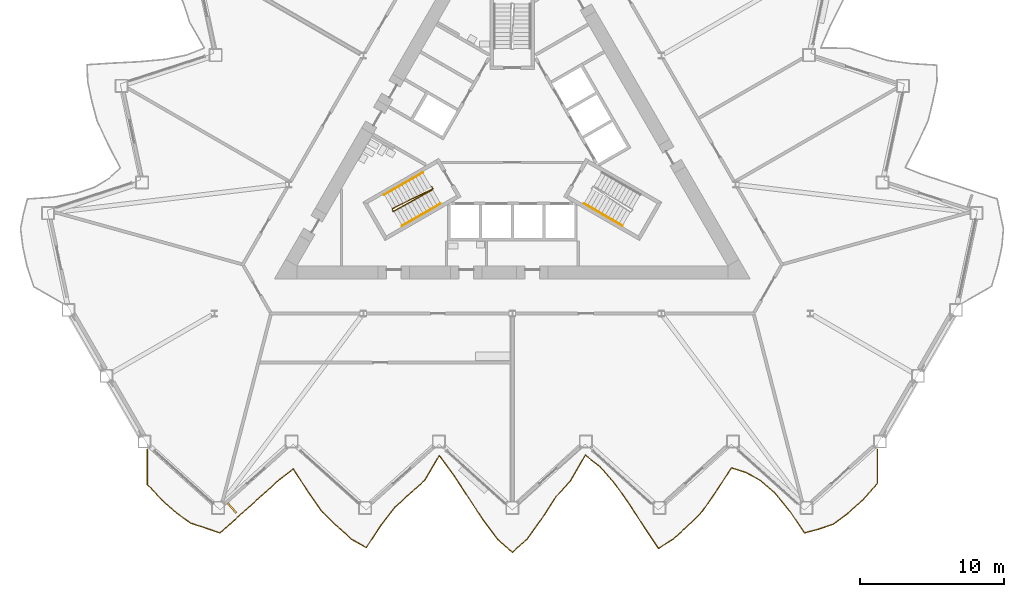
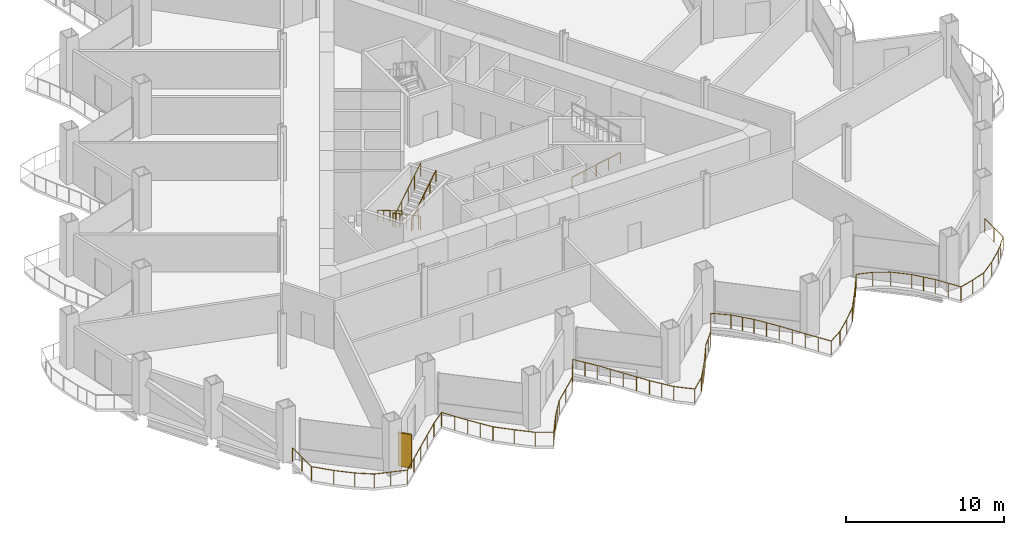
# One storey, part 17 of 21: 5 railings, 1 shading device.
"""IFC4 building model written with IfcOpenShell, lengths in metres."""

from ifc_helpers import new_model, si_unit, direction, frame, origin, origin_2d, place, context, subcontext, project, spatial, rectangle, circle, extrude, material, layer, layer_set, type_object, element, save


model = new_model("IFC4")

# Units and contexts
model_context = context("Model", 3, precision=1e-05, world=origin(), true_north=direction((0.0, 1.0)))
body_context = subcontext(model_context, "Body", "Model", "MODEL_VIEW")
ifc_project = project(units=[si_unit("LENGTHUNIT", "METRE"), si_unit("AREAUNIT", "SQUARE_METRE"), si_unit("VOLUMEUNIT", "CUBIC_METRE"), si_unit("PLANEANGLEUNIT", "RADIAN"), si_unit("MASSUNIT", "GRAM", prefix="KILO")], contexts=[model_context])

# Site, building, storey
site_placement = place(None, origin())
site = spatial("IfcSite", under=ifc_project, at=site_placement, CompositionType="ELEMENT")
building_placement = place(site_placement, origin())
building = spatial("IfcBuilding", under=site, at=building_placement, Name="Cormorant Prow Tower", CompositionType="ELEMENT")
storey_placement = place(building_placement, frame((0.0, 0.0, 137.39990234375)))
storey = spatial("IfcBuildingStorey", under=building, at=storey_placement, Name="L29", CompositionType="ELEMENT", Elevation=137.39990234375)

# Railings
ifc_material_1 = material(Name="Aluminium 6063-T6", Category="aluminium")
railing_type_1 = type_object("IfcRailingType", Name="Balcony guard 1100", PredefinedType="GUARDRAIL", material=ifc_material_1)
railing_1_placement = place(storey_placement, frame((-25.322509765625, -21.367919921875, 0.0)))
element("IfcRailing", 1, at=railing_1_placement, inside=storey, type_object=railing_type_1, Name="Balcony guard S", PredefinedType="GUARDRAIL", context=body_context, shape_type="SweptSolid", body=[
    extrude(circle(Radius=0.02392578125, at=origin_2d()), frame((0.0, 0.0, 1.076171875), z_axis=(0.0, -1.0, 0.0), x_axis=(1.0, 0.0, 0.0)), (0.0, 0.0, 1.0), 2.404052734375),
    extrude(circle(Radius=0.02392578125, at=origin_2d()), frame((0.0, -2.404052734375, 1.076171875), z_axis=(0.684643577426, -0.728878022641, 0.0), x_axis=(0.728878022641, 0.684643577426, 0.0)), (0.0, 0.0, 1.0), 1.479248046875),
    extrude(circle(Radius=0.02392578125, at=origin_2d()), frame((1.0126953125, -3.482177734375, 1.076171875), z_axis=(0.743124908613, -0.669152725616, 0.0), x_axis=(0.669152725616, 0.743124908613, 0.0)), (0.0, 0.0, 1.0), 1.363037109375),
    extrude(circle(Radius=0.02392578125, at=origin_2d()), frame((2.025634765625, -4.394287109375, 1.076171875), z_axis=(0.817218885489, -0.5763274184, 0.0), x_axis=(0.5763274184, 0.817218885489, 0.0)), (0.0, 0.0, 1.0), 1.239501953125),
    extrude(circle(Radius=0.02392578125, at=origin_2d()), frame((3.03857421875, -5.108642578125, 1.076171875), z_axis=(0.951801546947, -0.306714550077, 0.0), x_axis=(0.306714550077, 0.951801546947, 0.0)), (0.0, 0.0, 1.0), 1.064208984375),
    extrude(circle(Radius=0.02392578125, at=origin_2d()), frame((4.051513671875, -5.43505859375, 1.076171875), z_axis=(0.94654027154, -0.32258566979, 0.0), x_axis=(0.32258566979, 0.94654027154, 0.0)), (0.0, 0.0, 1.0), 1.070068359375),
    extrude(circle(Radius=0.02392578125, at=origin_2d()), frame((5.064453125, -5.7802734375, 1.076171875), z_axis=(0.743124908613, 0.669152725616, 0.0), x_axis=(-0.669152725616, 0.743124908613, 0.0)), (0.0, 0.0, 1.0), 1.363037109375),
    extrude(circle(Radius=0.02392578125, at=origin_2d()), frame((6.077392578125, -4.8681640625, 1.076171875), z_axis=(0.743133776471, 0.669142877319, 0.0), x_axis=(-0.669142877319, 0.743133776471, 0.0)), (0.0, 0.0, 1.0), 1.36279296875),
    extrude(circle(Radius=0.02392578125, at=origin_2d()), frame((7.090087890625, -3.956298828125, 1.076171875), z_axis=(0.743124908613, 0.669152725616, 0.0), x_axis=(-0.669152725616, 0.743124908613, 0.0)), (0.0, 0.0, 1.0), 1.363037109375),
    extrude(circle(Radius=0.02392578125, at=origin_2d()), frame((8.10302734375, -3.044189453125, 1.076171875), z_axis=(0.743124908613, 0.669152725616, 0.0), x_axis=(-0.669152725616, 0.743124908613, 0.0)), (0.0, 0.0, 1.0), 1.363037109375),
    extrude(circle(Radius=0.02392578125, at=origin_2d()), frame((9.115966796875, -2.132080078125, 1.076171875), z_axis=(0.787416886563, 0.616420835757, 0.0), x_axis=(-0.616420835757, 0.787416886563, 0.0)), (0.0, 0.0, 1.0), 1.286376953125),
    extrude(circle(Radius=0.02392578125, at=origin_2d()), frame((10.12890625, -1.339111328125, 1.076171875), z_axis=(0.542600411715, -0.839990948288, 0.0), x_axis=(0.839990948288, 0.542600411715, 0.0)), (0.0, 0.0, 1.0), 1.866943359375),
    extrude(circle(Radius=0.02392578125, at=origin_2d()), frame((11.141845703125, -2.9072265625, 1.076171875), z_axis=(0.576601351146, -0.817025631089, 0.0), x_axis=(0.817025631089, 0.576601351146, 0.0)), (0.0, 0.0, 1.0), 1.7568359375),
    extrude(circle(Radius=0.02392578125, at=origin_2d()), frame((12.15478515625, -4.342529296875, 1.076171875), z_axis=(0.72452402997, -0.689249541165, 0.0), x_axis=(0.689249541165, 0.72452402997, 0.0)), (0.0, 0.0, 1.0), 1.398193359375),
    extrude(circle(Radius=0.02392578125, at=origin_2d()), frame((13.167724609375, -5.30615234375, 1.076171875), z_axis=(0.743124908613, -0.669152725616, 0.0), x_axis=(0.669152725616, 0.743124908613, 0.0)), (0.0, 0.0, 1.0), 1.363037109375),
    extrude(circle(Radius=0.02392578125, at=origin_2d()), frame((14.1806640625, -6.21826171875, 1.076171875), z_axis=(0.868320405783, -0.496003702508, 0.0), x_axis=(0.496003702508, 0.868320405783, 0.0)), (0.0, 0.0, 1.0), 1.16650390625),
    extrude(circle(Radius=0.02392578125, at=origin_2d()), frame((15.193603515625, -6.796875, 1.076171875), z_axis=(0.550832958169, 0.834615511595, 0.0), x_axis=(-0.834615511595, 0.550832958169, 0.0)), (0.0, 0.0, 1.0), 1.83837890625),
    extrude(circle(Radius=0.02392578125, at=origin_2d()), frame((16.206298828125, -5.262451171875, 1.076171875), z_axis=(0.61282540161, 0.790218341435, 0.0), x_axis=(-0.790218341435, 0.61282540161, 0.0)), (0.0, 0.0, 1.0), 1.65283203125),
    extrude(circle(Radius=0.02392578125, at=origin_2d()), frame((17.21923828125, -3.956298828125, 1.076171875), z_axis=(0.743124908613, 0.669152725616, 0.0), x_axis=(-0.669152725616, 0.743124908613, 0.0)), (0.0, 0.0, 1.0), 1.363037109375),
    extrude(circle(Radius=0.02392578125, at=origin_2d()), frame((18.232177734375, -3.044189453125, 1.076171875), z_axis=(0.743124908613, 0.669152725616, 0.0), x_axis=(-0.669152725616, 0.743124908613, 0.0)), (0.0, 0.0, 1.0), 1.363037109375),
    extrude(circle(Radius=0.02392578125, at=origin_2d()), frame((19.2451171875, -2.132080078125, 1.076171875), z_axis=(0.509179917799, 0.860660102079, 0.0), x_axis=(-0.860660102079, 0.509179917799, 0.0)), (0.0, 0.0, 1.0), 1.9892578125),
    extrude(circle(Radius=0.02392578125, at=origin_2d()), frame((20.258056640625, -0.419921875, 1.076171875), z_axis=(0.594894887294, -0.803803504018, 0.0), x_axis=(0.803803504018, 0.594894887294, 0.0)), (0.0, 0.0, 1.0), 1.70263671875),
    extrude(circle(Radius=0.02392578125, at=origin_2d()), frame((21.27099609375, -1.78857421875, 1.076171875), z_axis=(0.547309796682, -0.836930096517, 0.0), x_axis=(0.836930096517, 0.547309796682, 0.0)), (0.0, 0.0, 1.0), 1.850341796875),
    extrude(circle(Radius=0.02392578125, at=origin_2d()), frame((22.28369140625, -3.337158203125, 1.076171875), z_axis=(0.546919020367, -0.837185514185, 0.0), x_axis=(0.837185514185, 0.546919020367, 0.0)), (0.0, 0.0, 1.0), 1.85205078125),
    extrude(circle(Radius=0.02392578125, at=origin_2d()), frame((23.296630859375, -4.8876953125, 1.076171875), z_axis=(0.605730861972, -0.795669606592, 0.0), x_axis=(0.795669606592, 0.605730861972, 0.0)), (0.0, 0.0, 1.0), 1.67236328125),
    extrude(circle(Radius=0.02392578125, at=origin_2d()), frame((24.3095703125, -6.21826171875, 1.076171875), z_axis=(0.743213977372, -0.669053797417, 0.0), x_axis=(0.669053797417, 0.743213977372, 0.0)), (0.0, 0.0, 1.0), 1.363037109375),
    extrude(circle(Radius=0.02392578125, at=origin_2d()), frame((25.322509765625, -7.130126953125, 1.076171875), z_axis=(0.743213977372, 0.669053797417, 0.0), x_axis=(-0.669053797417, 0.743213977372, 0.0)), (0.0, 0.0, 1.0), 1.363037109375),
    extrude(circle(Radius=0.02392578125, at=origin_2d()), frame((26.33544921875, -6.21826171875, 1.076171875), z_axis=(0.587556846103, 0.809182891933, 0.0), x_axis=(-0.809182891933, 0.587556846103, 0.0)), (0.0, 0.0, 1.0), 1.723876953125),
    extrude(circle(Radius=0.02392578125, at=origin_2d()), frame((27.348388671875, -4.8232421875, 1.076171875), z_axis=(0.544692987816, 0.838635528119, 0.0), x_axis=(-0.838635528119, 0.544692987816, 0.0)), (0.0, 0.0, 1.0), 1.859619140625),
    extrude(circle(Radius=0.02392578125, at=origin_2d()), frame((28.361328125, -3.263671875, 1.076171875), z_axis=(0.666874746056, 0.745169828343, 0.0), x_axis=(-0.745169828343, 0.666874746056, 0.0)), (0.0, 0.0, 1.0), 1.5185546875),
    extrude(circle(Radius=0.02392578125, at=origin_2d()), frame((29.3740234375, -2.132080078125, 1.076171875), z_axis=(0.502004160117, 0.864865205234, 0.0), x_axis=(-0.864865205234, 0.502004160117, 0.0)), (0.0, 0.0, 1.0), 2.017822265625),
    extrude(circle(Radius=0.02392578125, at=origin_2d()), frame((30.386962890625, -0.386962890625, 1.076171875), z_axis=(0.784287247968, -0.620397866433, 0.0), x_axis=(0.620397866433, 0.784287247968, 0.0)), (0.0, 0.0, 1.0), 1.29150390625),
    extrude(circle(Radius=0.02392578125, at=origin_2d()), frame((31.39990234375, -1.188232421875, 1.076171875), z_axis=(0.661242031775, -0.750172630409, 0.0), x_axis=(0.750172630409, 0.661242031775, 0.0)), (0.0, 0.0, 1.0), 1.531982421875),
    extrude(circle(Radius=0.02392578125, at=origin_2d()), frame((32.412841796875, -2.33740234375, 1.076171875), z_axis=(0.577781624443, -0.816191395725, 0.0), x_axis=(0.816191395725, 0.577781624443, 0.0)), (0.0, 0.0, 1.0), 1.753173828125),
    extrude(circle(Radius=0.02392578125, at=origin_2d()), frame((33.42578125, -3.768310546875, 1.076171875), z_axis=(0.542838919427, -0.839836833888, 0.0), x_axis=(0.839836833888, 0.542838919427, 0.0)), (0.0, 0.0, 1.0), 1.865966796875),
    extrude(circle(Radius=0.02392578125, at=origin_2d()), frame((34.438720703125, -5.33544921875, 1.076171875), z_axis=(0.554330067135, -0.832296928187, 0.0), x_axis=(0.832296928187, 0.554330067135, 0.0)), (0.0, 0.0, 1.0), 1.826904296875),
    extrude(circle(Radius=0.02392578125, at=origin_2d()), frame((35.451416015625, -6.85595703125, 1.076171875), z_axis=(0.846263494007, 0.532764580946, 0.0), x_axis=(-0.532764580946, 0.846263494007, 0.0)), (0.0, 0.0, 1.0), 1.197021484375),
    extrude(circle(Radius=0.02392578125, at=origin_2d()), frame((36.46435546875, -6.21826171875, 1.076171875), z_axis=(0.743124908613, 0.669152725616, 0.0), x_axis=(-0.669152725616, 0.743124908613, 0.0)), (0.0, 0.0, 1.0), 1.363037109375),
    extrude(circle(Radius=0.02392578125, at=origin_2d()), frame((37.477294921875, -5.30615234375, 1.076171875), z_axis=(0.708300783567, 0.705910759231, 0.0), x_axis=(-0.705910759231, 0.708300783567, 0.0)), (0.0, 0.0, 1.0), 1.43017578125),
    extrude(circle(Radius=0.02392578125, at=origin_2d()), frame((38.490234375, -4.296630859375, 1.076171875), z_axis=(0.57049630131, 0.821300170578, 0.0), x_axis=(-0.821300170578, 0.57049630131, 0.0)), (0.0, 0.0, 1.0), 1.775634765625),
    extrude(circle(Radius=0.02392578125, at=origin_2d()), frame((39.503173828125, -2.83837890625, 1.076171875), z_axis=(0.541707483767, 0.840567071703, 0.0), x_axis=(-0.840567071703, 0.541707483767, 0.0)), (0.0, 0.0, 1.0), 1.869873046875),
    extrude(circle(Radius=0.02392578125, at=origin_2d()), frame((40.51611328125, -1.2666015625, 1.076171875), z_axis=(0.952669116007, -0.304009137044, 0.0), x_axis=(0.304009137044, 0.952669116007, 0.0)), (0.0, 0.0, 1.0), 1.063232421875),
    extrude(circle(Radius=0.02392578125, at=origin_2d()), frame((41.529052734375, -1.58984375, 1.076171875), z_axis=(0.875586917879, -0.483060606176, 0.0), x_axis=(0.483060606176, 0.875586917879, 0.0)), (0.0, 0.0, 1.0), 1.156982421875),
    extrude(circle(Radius=0.02392578125, at=origin_2d()), frame((42.5419921875, -2.148681640625, 1.076171875), z_axis=(0.75009632031, -0.661328594768, 0.0), x_axis=(0.661328594768, 0.75009632031, 0.0)), (0.0, 0.0, 1.0), 1.350341796875),
    extrude(circle(Radius=0.02392578125, at=origin_2d()), frame((43.554931640625, -3.041748046875, 1.076171875), z_axis=(0.634719844274, -0.77274233693, 0.0), x_axis=(0.77274233693, 0.634719844274, 0.0)), (0.0, 0.0, 1.0), 1.595458984375),
    extrude(circle(Radius=0.02392578125, at=origin_2d()), frame((44.567626953125, -4.274658203125, 1.076171875), z_axis=(0.558203636629, -0.829703983391, 0.0), x_axis=(0.829703983391, 0.558203636629, 0.0)), (0.0, 0.0, 1.0), 1.814697265625),
    extrude(circle(Radius=0.02392578125, at=origin_2d()), frame((45.58056640625, -5.7802734375, 1.076171875), z_axis=(0.965383981058, 0.260832837495, 0.0), x_axis=(-0.260832837495, 0.965383981058, 0.0)), (0.0, 0.0, 1.0), 1.04931640625),
    extrude(circle(Radius=0.02392578125, at=origin_2d()), frame((46.593505859375, -5.506591796875, 1.076171875), z_axis=(0.946400884975, 0.322994372891, 0.0), x_axis=(-0.322994372891, 0.946400884975, 0.0)), (0.0, 0.0, 1.0), 1.0703125),
    extrude(circle(Radius=0.02392578125, at=origin_2d()), frame((47.6064453125, -5.160888671875, 1.076171875), z_axis=(0.797386389798, 0.603469092303, 0.0), x_axis=(-0.603469092303, 0.797386389798, 0.0)), (0.0, 0.0, 1.0), 1.270263671875),
    extrude(circle(Radius=0.02392578125, at=origin_2d()), frame((48.619384765625, -4.394287109375, 1.076171875), z_axis=(0.743124908613, 0.669152725616, 0.0), x_axis=(-0.669152725616, 0.743124908613, 0.0)), (0.0, 0.0, 1.0), 1.363037109375),
    extrude(circle(Radius=0.02392578125, at=origin_2d()), frame((49.63232421875, -3.482177734375, 1.076171875), z_axis=(0.666874746056, 0.745169828343, 0.0), x_axis=(-0.745169828343, 0.666874746056, 0.0)), (0.0, 0.0, 1.0), 1.5185546875),
    extrude(circle(Radius=0.02392578125, at=origin_2d()), frame((50.64501953125, -2.3505859375, 1.076171875), z_axis=(0.0, 1.0, 0.0), x_axis=(-1.0, 0.0, 0.0)), (0.0, 0.0, 1.0), 2.3505859375),
    extrude(circle(Radius=0.02099609375, at=origin_2d()), origin(), (0.0, 0.0, 1.0), 1.052001953125),
    extrude(circle(Radius=0.02099609375, at=origin_2d()), frame((0.0, -1.2021484375, 0.0)), (0.0, 0.0, 1.0), 1.052001953125),
    extrude(circle(Radius=0.02099609375, at=origin_2d()), frame((0.0, -2.404052734375, 0.0)), (0.0, 0.0, 1.0), 1.052001953125),
    extrude(circle(Radius=0.02099609375, at=origin_2d()), frame((1.0126953125, -3.482177734375, 0.0)), (0.0, 0.0, 1.0), 1.052001953125),
    extrude(circle(Radius=0.02099609375, at=origin_2d()), frame((2.025634765625, -4.394287109375, 0.0)), (0.0, 0.0, 1.0), 1.052001953125),
    extrude(circle(Radius=0.02099609375, at=origin_2d()), frame((3.03857421875, -5.108642578125, 0.0)), (0.0, 0.0, 1.0), 1.052001953125),
    extrude(circle(Radius=0.02099609375, at=origin_2d()), frame((4.051513671875, -5.43505859375, 0.0)), (0.0, 0.0, 1.0), 1.052001953125),
    extrude(circle(Radius=0.02099609375, at=origin_2d()), frame((5.064453125, -5.7802734375, 0.0)), (0.0, 0.0, 1.0), 1.052001953125),
    extrude(circle(Radius=0.02099609375, at=origin_2d()), frame((6.077392578125, -4.8681640625, 0.0)), (0.0, 0.0, 1.0), 1.052001953125),
    extrude(circle(Radius=0.02099609375, at=origin_2d()), frame((7.090087890625, -3.956298828125, 0.0)), (0.0, 0.0, 1.0), 1.052001953125),
    extrude(circle(Radius=0.02099609375, at=origin_2d()), frame((8.10302734375, -3.044189453125, 0.0)), (0.0, 0.0, 1.0), 1.052001953125),
    extrude(circle(Radius=0.02099609375, at=origin_2d()), frame((9.115966796875, -2.132080078125, 0.0)), (0.0, 0.0, 1.0), 1.052001953125),
    extrude(circle(Radius=0.02099609375, at=origin_2d()), frame((10.12890625, -1.339111328125, 0.0)), (0.0, 0.0, 1.0), 1.052001953125),
    extrude(circle(Radius=0.02099609375, at=origin_2d()), frame((10.63525390625, -2.123046875, 0.0)), (0.0, 0.0, 1.0), 1.052001953125),
    extrude(circle(Radius=0.02099609375, at=origin_2d()), frame((11.141845703125, -2.9072265625, 0.0)), (0.0, 0.0, 1.0), 1.052001953125),
    extrude(circle(Radius=0.02099609375, at=origin_2d()), frame((11.6484375, -3.625, 0.0)), (0.0, 0.0, 1.0), 1.052001953125),
    extrude(circle(Radius=0.02099609375, at=origin_2d()), frame((12.15478515625, -4.342529296875, 0.0)), (0.0, 0.0, 1.0), 1.052001953125),
    extrude(circle(Radius=0.02099609375, at=origin_2d()), frame((13.167724609375, -5.30615234375, 0.0)), (0.0, 0.0, 1.0), 1.052001953125),
    extrude(circle(Radius=0.02099609375, at=origin_2d()), frame((14.1806640625, -6.21826171875, 0.0)), (0.0, 0.0, 1.0), 1.052001953125),
    extrude(circle(Radius=0.02099609375, at=origin_2d()), frame((15.193603515625, -6.796875, 0.0)), (0.0, 0.0, 1.0), 1.052001953125),
    extrude(circle(Radius=0.02099609375, at=origin_2d()), frame((15.699951171875, -6.02978515625, 0.0)), (0.0, 0.0, 1.0), 1.052001953125),
    extrude(circle(Radius=0.02099609375, at=origin_2d()), frame((16.206298828125, -5.262451171875, 0.0)), (0.0, 0.0, 1.0), 1.052001953125),
    extrude(circle(Radius=0.02099609375, at=origin_2d()), frame((16.712890625, -4.609375, 0.0)), (0.0, 0.0, 1.0), 1.052001953125),
    extrude(circle(Radius=0.02099609375, at=origin_2d()), frame((17.21923828125, -3.956298828125, 0.0)), (0.0, 0.0, 1.0), 1.052001953125),
    extrude(circle(Radius=0.02099609375, at=origin_2d()), frame((18.232177734375, -3.044189453125, 0.0)), (0.0, 0.0, 1.0), 1.052001953125),
    extrude(circle(Radius=0.02099609375, at=origin_2d()), frame((19.2451171875, -2.132080078125, 0.0)), (0.0, 0.0, 1.0), 1.052001953125),
    extrude(circle(Radius=0.02099609375, at=origin_2d()), frame((19.75146484375, -1.27587890625, 0.0)), (0.0, 0.0, 1.0), 1.052001953125),
    extrude(circle(Radius=0.02099609375, at=origin_2d()), frame((20.258056640625, -0.419921875, 0.0)), (0.0, 0.0, 1.0), 1.052001953125),
    extrude(circle(Radius=0.02099609375, at=origin_2d()), frame((20.7646484375, -1.104248046875, 0.0)), (0.0, 0.0, 1.0), 1.052001953125),
    extrude(circle(Radius=0.02099609375, at=origin_2d()), frame((21.27099609375, -1.78857421875, 0.0)), (0.0, 0.0, 1.0), 1.052001953125),
    extrude(circle(Radius=0.02099609375, at=origin_2d()), frame((21.77734375, -2.56298828125, 0.0)), (0.0, 0.0, 1.0), 1.052001953125),
    extrude(circle(Radius=0.02099609375, at=origin_2d()), frame((22.28369140625, -3.337158203125, 0.0)), (0.0, 0.0, 1.0), 1.052001953125),
    extrude(circle(Radius=0.02099609375, at=origin_2d()), frame((22.7900390625, -4.1123046875, 0.0)), (0.0, 0.0, 1.0), 1.052001953125),
    extrude(circle(Radius=0.02099609375, at=origin_2d()), frame((23.296630859375, -4.8876953125, 0.0)), (0.0, 0.0, 1.0), 1.052001953125),
    extrude(circle(Radius=0.02099609375, at=origin_2d()), frame((23.80322265625, -5.552978515625, 0.0)), (0.0, 0.0, 1.0), 1.052001953125),
    extrude(circle(Radius=0.02099609375, at=origin_2d()), frame((24.3095703125, -6.21826171875, 0.0)), (0.0, 0.0, 1.0), 1.052001953125),
    extrude(circle(Radius=0.02099609375, at=origin_2d()), frame((25.322509765625, -7.130126953125, 0.0)), (0.0, 0.0, 1.0), 1.052001953125),
    extrude(circle(Radius=0.02099609375, at=origin_2d()), frame((26.33544921875, -6.21826171875, 0.0)), (0.0, 0.0, 1.0), 1.052001953125),
    extrude(circle(Radius=0.02099609375, at=origin_2d()), frame((26.841796875, -5.520751953125, 0.0)), (0.0, 0.0, 1.0), 1.052001953125),
    extrude(circle(Radius=0.02099609375, at=origin_2d()), frame((27.348388671875, -4.8232421875, 0.0)), (0.0, 0.0, 1.0), 1.052001953125),
    extrude(circle(Radius=0.02099609375, at=origin_2d()), frame((27.85498046875, -4.04345703125, 0.0)), (0.0, 0.0, 1.0), 1.052001953125),
    extrude(circle(Radius=0.02099609375, at=origin_2d()), frame((28.361328125, -3.263671875, 0.0)), (0.0, 0.0, 1.0), 1.052001953125),
    extrude(circle(Radius=0.02099609375, at=origin_2d()), frame((28.86767578125, -2.69775390625, 0.0)), (0.0, 0.0, 1.0), 1.052001953125),
    extrude(circle(Radius=0.02099609375, at=origin_2d()), frame((29.3740234375, -2.132080078125, 0.0)), (0.0, 0.0, 1.0), 1.052001953125),
    extrude(circle(Radius=0.02099609375, at=origin_2d()), frame((29.88037109375, -1.259521484375, 0.0)), (0.0, 0.0, 1.0), 1.052001953125),
    extrude(circle(Radius=0.02099609375, at=origin_2d()), frame((30.386962890625, -0.386962890625, 0.0)), (0.0, 0.0, 1.0), 1.052001953125),
    extrude(circle(Radius=0.02099609375, at=origin_2d()), frame((31.39990234375, -1.188232421875, 0.0)), (0.0, 0.0, 1.0), 1.052001953125),
    extrude(circle(Radius=0.02099609375, at=origin_2d()), frame((31.90625, -1.7626953125, 0.0)), (0.0, 0.0, 1.0), 1.052001953125),
    extrude(circle(Radius=0.02099609375, at=origin_2d()), frame((32.412841796875, -2.33740234375, 0.0)), (0.0, 0.0, 1.0), 1.052001953125),
    extrude(circle(Radius=0.02099609375, at=origin_2d()), frame((32.91943359375, -3.052734375, 0.0)), (0.0, 0.0, 1.0), 1.052001953125),
    extrude(circle(Radius=0.02099609375, at=origin_2d()), frame((33.42578125, -3.768310546875, 0.0)), (0.0, 0.0, 1.0), 1.052001953125),
    extrude(circle(Radius=0.02099609375, at=origin_2d()), frame((33.93212890625, -4.5517578125, 0.0)), (0.0, 0.0, 1.0), 1.052001953125),
    extrude(circle(Radius=0.02099609375, at=origin_2d()), frame((34.438720703125, -5.33544921875, 0.0)), (0.0, 0.0, 1.0), 1.052001953125),
    extrude(circle(Radius=0.02099609375, at=origin_2d()), frame((34.945068359375, -6.095703125, 0.0)), (0.0, 0.0, 1.0), 1.052001953125),
    extrude(circle(Radius=0.02099609375, at=origin_2d()), frame((35.451416015625, -6.85595703125, 0.0)), (0.0, 0.0, 1.0), 1.052001953125),
    extrude(circle(Radius=0.02099609375, at=origin_2d()), frame((36.46435546875, -6.21826171875, 0.0)), (0.0, 0.0, 1.0), 1.052001953125),
    extrude(circle(Radius=0.02099609375, at=origin_2d()), frame((37.477294921875, -5.30615234375, 0.0)), (0.0, 0.0, 1.0), 1.052001953125),
    extrude(circle(Radius=0.02099609375, at=origin_2d()), frame((38.490234375, -4.296630859375, 0.0)), (0.0, 0.0, 1.0), 1.052001953125),
    extrude(circle(Radius=0.02099609375, at=origin_2d()), frame((38.99658203125, -3.5673828125, 0.0)), (0.0, 0.0, 1.0), 1.052001953125),
    extrude(circle(Radius=0.02099609375, at=origin_2d()), frame((39.503173828125, -2.83837890625, 0.0)), (0.0, 0.0, 1.0), 1.052001953125),
    extrude(circle(Radius=0.02099609375, at=origin_2d()), frame((40.009765625, -2.052490234375, 0.0)), (0.0, 0.0, 1.0), 1.052001953125),
    extrude(circle(Radius=0.02099609375, at=origin_2d()), frame((40.51611328125, -1.2666015625, 0.0)), (0.0, 0.0, 1.0), 1.052001953125),
    extrude(circle(Radius=0.02099609375, at=origin_2d()), frame((41.529052734375, -1.58984375, 0.0)), (0.0, 0.0, 1.0), 1.052001953125),
    extrude(circle(Radius=0.02099609375, at=origin_2d()), frame((42.5419921875, -2.148681640625, 0.0)), (0.0, 0.0, 1.0), 1.052001953125),
    extrude(circle(Radius=0.02099609375, at=origin_2d()), frame((43.554931640625, -3.041748046875, 0.0)), (0.0, 0.0, 1.0), 1.052001953125),
    extrude(circle(Radius=0.02099609375, at=origin_2d()), frame((44.061279296875, -3.658203125, 0.0)), (0.0, 0.0, 1.0), 1.052001953125),
    extrude(circle(Radius=0.02099609375, at=origin_2d()), frame((44.567626953125, -4.274658203125, 0.0)), (0.0, 0.0, 1.0), 1.052001953125),
    extrude(circle(Radius=0.02099609375, at=origin_2d()), frame((45.07421875, -5.02734375, 0.0)), (0.0, 0.0, 1.0), 1.052001953125),
    extrude(circle(Radius=0.02099609375, at=origin_2d()), frame((45.58056640625, -5.7802734375, 0.0)), (0.0, 0.0, 1.0), 1.052001953125),
    extrude(circle(Radius=0.02099609375, at=origin_2d()), frame((46.593505859375, -5.506591796875, 0.0)), (0.0, 0.0, 1.0), 1.052001953125),
    extrude(circle(Radius=0.02099609375, at=origin_2d()), frame((47.6064453125, -5.160888671875, 0.0)), (0.0, 0.0, 1.0), 1.052001953125),
    extrude(circle(Radius=0.02099609375, at=origin_2d()), frame((48.619384765625, -4.394287109375, 0.0)), (0.0, 0.0, 1.0), 1.052001953125),
    extrude(circle(Radius=0.02099609375, at=origin_2d()), frame((49.63232421875, -3.482177734375, 0.0)), (0.0, 0.0, 1.0), 1.052001953125),
    extrude(circle(Radius=0.02099609375, at=origin_2d()), frame((50.138671875, -2.91650390625, 0.0)), (0.0, 0.0, 1.0), 1.052001953125),
    extrude(circle(Radius=0.02099609375, at=origin_2d()), frame((50.64501953125, -2.3505859375, 0.0)), (0.0, 0.0, 1.0), 1.052001953125),
    extrude(circle(Radius=0.02099609375, at=origin_2d()), frame((50.64501953125, -1.17529296875, 0.0)), (0.0, 0.0, 1.0), 1.052001953125),
    extrude(circle(Radius=0.02099609375, at=origin_2d()), frame((50.64501953125, 0.0, 0.0)), (0.0, 0.0, 1.0), 1.052001953125),
])
ifc_material_2 = material(Name="Stainless steel", Category="steel")
railing_type_2 = type_object("IfcRailingType", Name="Stair guard 1100", PredefinedType="GUARDRAIL", material=ifc_material_2)
railing_2_placement = place(storey_placement, frame((-5.585205078125, -3.137939453125, 0.0)))
element("IfcRailing", 2, at=railing_2_placement, inside=storey, type_object=railing_type_2, Name="L29 ST1 stair guard 1", PredefinedType="GUARDRAIL", context=body_context, shape_type="SweptSolid", body=[
    extrude(circle(Radius=0.02392578125, at=origin_2d()), frame((0.0, 0.0, 1.076171875), z_axis=(0.501036270542, -0.865426285481, 0.0), x_axis=(0.865426285481, 0.501036270542, 0.0)), (0.0, 0.0, 1.0), 0.150146484375),
    extrude(circle(Radius=0.02392578125, at=origin_2d()), frame((0.0751953125, -0.1298828125, 1.076171875), z_axis=(-0.744644002882, -0.368732342607, 0.556364780057), x_axis=(0.443754251299, -0.896148516963, 0.0)), (0.0, 0.0, 1.0), 3.774658203125),
    extrude(circle(Radius=0.02392578125, at=origin_2d()), frame((-2.735595703125, -1.521728515625, 3.17626953125), z_axis=(0.274721127897, -0.961523947641, 0.0), x_axis=(0.961523947641, 0.274721127897, 0.0)), (0.0, 0.0, 1.0), 0.2060546875),
    extrude(circle(Radius=0.02392578125, at=origin_2d()), frame((-2.678955078125, -1.719970703125, 3.17626953125), z_axis=(0.725738344322, 0.403670096391, 0.557094524171), x_axis=(-0.486086505765, 0.873910698477, 0.0)), (0.0, 0.0, 1.0), 3.769775390625),
    extrude(circle(Radius=0.02099609375, at=origin_2d()), origin(), (0.0, 0.0, 1.0), 1.052001953125),
    extrude(circle(Radius=0.02099609375, at=origin_2d()), frame((0.0751953125, -0.1298828125, 0.0)), (0.0, 0.0, 1.0), 1.052001953125),
    extrude(circle(Radius=0.02099609375, at=origin_2d()), frame((-0.62744140625, -0.477783203125, 0.52490234375)), (0.0, 0.0, 1.0), 1.052001953125),
    extrude(circle(Radius=0.02099609375, at=origin_2d()), frame((-1.330078125, -0.82568359375, 1.050048828125)), (0.0, 0.0, 1.0), 1.052001953125),
    extrude(circle(Radius=0.02099609375, at=origin_2d()), frame((-2.032958984375, -1.173828125, 1.5751953125)), (0.0, 0.0, 1.0), 1.052001953125),
    extrude(circle(Radius=0.02099609375, at=origin_2d()), frame((-2.735595703125, -1.521728515625, 2.10009765625)), (0.0, 0.0, 1.0), 1.052001953125),
    extrude(circle(Radius=0.02099609375, at=origin_2d()), frame((-2.678955078125, -1.719970703125, 2.10009765625)), (0.0, 0.0, 1.0), 1.052001953125),
    extrude(circle(Radius=0.02099609375, at=origin_2d()), frame((-1.9951171875, -1.339599609375, 2.625)), (0.0, 0.0, 1.0), 1.052001953125),
    extrude(circle(Radius=0.02099609375, at=origin_2d()), frame((-1.31103515625, -0.958984375, 3.150146484375)), (0.0, 0.0, 1.0), 1.052001953125),
    extrude(circle(Radius=0.02099609375, at=origin_2d()), frame((-0.626953125, -0.57861328125, 3.67529296875)), (0.0, 0.0, 1.0), 1.052001953125),
    extrude(circle(Radius=0.02099609375, at=origin_2d()), frame((0.056884765625, -0.1982421875, 4.2001953125)), (0.0, 0.0, 1.0), 1.052001953125),
])
ifc_material_3 = material(Name="Stainless steel", Category="steel")
railing_type_3 = type_object("IfcRailingType", Name="Stair handrail 900", PredefinedType="HANDRAIL", material=ifc_material_3)
railing_3_placement = place(storey_placement, frame((-6.212890625, -2.150634765625, 0.175048828125)))
element("IfcRailing", 3, at=railing_3_placement, inside=storey, type_object=railing_type_3, Name="L29 ST1 stair handrail 1", PredefinedType="HANDRAIL", context=body_context, shape_type="SweptSolid", body=[
    extrude(circle(Radius=0.02392578125, at=origin_2d()), frame((0.0, 0.0, 0.8759765625), z_axis=(-0.734394994316, -0.423994474112, 0.52999309264), x_axis=(0.499992328818, -0.866029832698, 0.0)), (0.0, 0.0, 1.0), 3.63232421875),
    extrude(circle(Radius=0.02099609375, at=origin_2d()), origin(), (0.0, 0.0, 1.0), 0.851806640625),
    extrude(circle(Radius=0.02099609375, at=origin_2d()), frame((-0.6669921875, -0.385009765625, 0.481201171875)), (0.0, 0.0, 1.0), 0.851806640625),
    extrude(circle(Radius=0.02099609375, at=origin_2d()), frame((-1.333740234375, -0.77001953125, 0.96240234375)), (0.0, 0.0, 1.0), 0.851806640625),
    extrude(circle(Radius=0.02099609375, at=origin_2d()), frame((-2.00048828125, -1.155029296875, 1.44384765625)), (0.0, 0.0, 1.0), 0.851806640625),
    extrude(circle(Radius=0.02099609375, at=origin_2d()), frame((-2.66748046875, -1.5400390625, 1.925048828125)), (0.0, 0.0, 1.0), 0.851806640625),
])
railing_4_placement = place(storey_placement, frame((-7.63623046875, -5.84521484375, 2.275146484375)))
element("IfcRailing", 4, at=railing_4_placement, inside=storey, type_object=railing_type_3, Name="L29 ST1 stair handrail 2", PredefinedType="HANDRAIL", context=body_context, shape_type="SweptSolid", body=[
    extrude(circle(Radius=0.02392578125, at=origin_2d()), frame((0.0, 0.0, 0.8759765625), z_axis=(0.734364028329, 0.424015404183, 0.530019255228), x_axis=(-0.500026652407, 0.866010015463, 0.0)), (0.0, 0.0, 1.0), 3.632080078125),
    extrude(circle(Radius=0.02099609375, at=origin_2d()), origin(), (0.0, 0.0, 1.0), 0.851806640625),
    extrude(circle(Radius=0.02099609375, at=origin_2d()), frame((0.666748046875, 0.385009765625, 0.481201171875)), (0.0, 0.0, 1.0), 0.851806640625),
    extrude(circle(Radius=0.02099609375, at=origin_2d()), frame((1.33349609375, 0.77001953125, 0.96240234375)), (0.0, 0.0, 1.0), 0.851806640625),
    extrude(circle(Radius=0.02099609375, at=origin_2d()), frame((2.00048828125, 1.155029296875, 1.44384765625)), (0.0, 0.0, 1.0), 0.851806640625),
    extrude(circle(Radius=0.02099609375, at=origin_2d()), frame((2.667236328125, 1.5400390625, 1.925048828125)), (0.0, 0.0, 1.0), 0.851806640625),
])
railing_5_placement = place(storey_placement, frame((4.968994140625, -4.30517578125, 0.175048828125)))
element("IfcRailing", 5, at=railing_5_placement, inside=storey, type_object=railing_type_3, Name="L29 ST2 stair handrail 1", PredefinedType="HANDRAIL", context=body_context, shape_type="SweptSolid", body=[
    extrude(circle(Radius=0.02392578125, at=origin_2d()), frame((0.0, 0.0, 0.8759765625), z_axis=(0.734364028329, -0.424015404183, 0.530019255228), x_axis=(0.500026652407, 0.866010015463, 0.0)), (0.0, 0.0, 1.0), 3.632080078125),
    extrude(circle(Radius=0.02099609375, at=origin_2d()), origin(), (0.0, 0.0, 1.0), 0.851806640625),
    extrude(circle(Radius=0.02099609375, at=origin_2d()), frame((0.666748046875, -0.385009765625, 0.481201171875)), (0.0, 0.0, 1.0), 0.851806640625),
    extrude(circle(Radius=0.02099609375, at=origin_2d()), frame((1.33349609375, -0.77001953125, 0.96240234375)), (0.0, 0.0, 1.0), 0.851806640625),
    extrude(circle(Radius=0.02099609375, at=origin_2d()), frame((2.00048828125, -1.155029296875, 1.44384765625)), (0.0, 0.0, 1.0), 0.851806640625),
    extrude(circle(Radius=0.02099609375, at=origin_2d()), frame((2.667236328125, -1.5400390625, 1.925048828125)), (0.0, 0.0, 1.0), 0.851806640625),
])

# Shading device
ifc_material_4 = material(Name="Terracotta", Category="masonry")
ifc_layer = layer(ifc_material_4, 0.1201171875)
ifc_layer_set = layer_set([ifc_layer], Name="Terracotta")
shading_device_type = type_object("IfcShadingDeviceType", Name="Terracotta baguette fin 120x900x2600", PredefinedType="USERDEFINED", material=ifc_layer_set)
shading_device_placement = place(storey_placement, frame((-19.439697265625, -25.416748046875, 0.0), z_axis=(0.0, 0.0, 1.0), x_axis=(0.743144846674, 0.669130582818, 0.0)))
element("IfcShadingDevice", 6, at=shading_device_placement, inside=storey, type_object=shading_device_type, Name="Baguette fin S01", ObjectType="BAGUETTE", PredefinedType="USERDEFINED", context=body_context, shape_type="SweptSolid", body=[
    extrude(rectangle(XDim=0.1201171875, YDim=0.89990234375, at=origin_2d()), origin(), (0.0, 0.0, 1.0), 2.60009765625),
])

save(model, "model.ifc")
